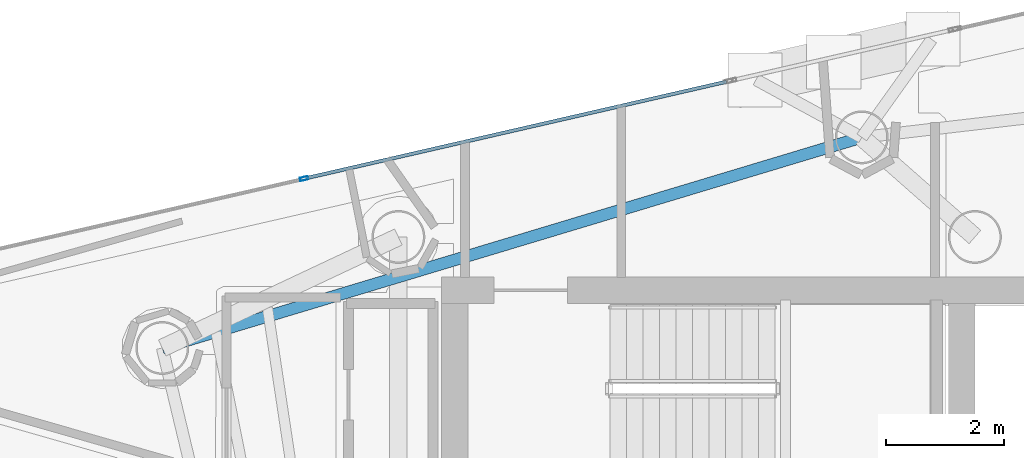
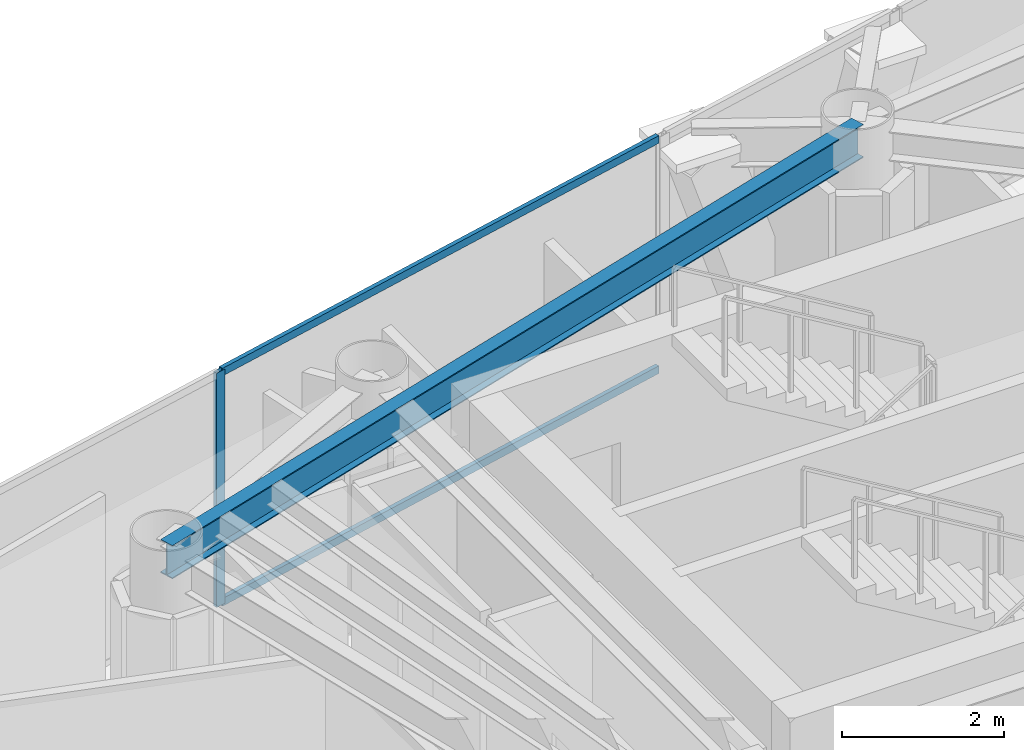
# One storey, part 11 of 24: 3 members, 1 beam, 1 element without a shape of its own.
"""IFC4 building model written with IfcOpenShell, lengths in metres."""

from ifc_helpers import new_model, si_unit, direction, frame, origin, origin_2d, place, context, subcontext, project, spatial, hollow_rectangle, i_section, extrude, material, layer, layer_set, material_profile, profile_set, type_object, element, aggregate, save


model = new_model("IFC4")

# Units and contexts
model_context = context("Model", 3, precision=1e-05, world=origin(), true_north=direction((0.0, 1.0)))
body_context = subcontext(model_context, "Body", "Model", "MODEL_VIEW")
ifc_project = project(units=[si_unit("LENGTHUNIT", "METRE"), si_unit("AREAUNIT", "SQUARE_METRE"), si_unit("VOLUMEUNIT", "CUBIC_METRE"), si_unit("PLANEANGLEUNIT", "RADIAN"), si_unit("MASSUNIT", "GRAM", prefix="KILO")], contexts=[model_context])

# Site, building, storey
site_placement = place(None, origin())
site = spatial("IfcSite", under=ifc_project, at=site_placement, CompositionType="ELEMENT")
building_placement = place(site_placement, origin())
building = spatial("IfcBuilding", under=site, at=building_placement, Name="Qianvela Tower", CompositionType="ELEMENT")
storey_placement = place(building_placement, frame((0.0, 0.0, 306.5)))
storey = spatial("IfcBuildingStorey", under=building, at=storey_placement, Name="L79", CompositionType="ELEMENT", Elevation=306.5)

# Beam
ifc_material_1 = material(Name="Steel Q355B", Category="steel")
ifc_material_profile_1 = material_profile(ifc_material_1, i_section(OverallWidth=0.199951171875, OverallDepth=0.5, WebThickness=0.010009765625, FlangeThickness=0.01611328125, at=origin_2d()), Name="HN500x200x10x16")
ifc_profile_set_1 = profile_set([ifc_material_profile_1], Name="Steel Q355B")
beam_type = type_object("IfcBeamType", Name="BM-HN500-GIRD", PredefinedType="BEAM", material=ifc_profile_set_1)
beam_placement = place(storey_placement, frame((36.47607421875, 35.242919921875, 3.26806640625), z_axis=(-0.957535726794, -0.288314640478, 0.0), x_axis=(0.288314640478, -0.957535726794, 0.0)))
element("IfcBeam", 1, at=beam_placement, inside=storey, type_object=beam_type, Name="L79 Perimeter Ring Spandrel Girder 2", PredefinedType="BEAM", context=body_context, shape_type="SweptSolid", body=[
    extrude(i_section(OverallWidth=0.199951171875, OverallDepth=0.5, WebThickness=0.010009765625, FlangeThickness=0.01611328125, at=origin_2d()), origin(), (0.0, 0.0, 1.0), 12.41650390625),
])

# Curtain wall, members
ifc_material_2 = material(Name="Anodised Architectural Aluminium and Low-E Glass", Category="aluminium")
ifc_layer = layer(ifc_material_2, 0.14990234375)
ifc_layer_set = layer_set([ifc_layer], Name="Anodised Architectural Aluminium and Low-E Glass")
curtain_wall_type = type_object("IfcCurtainWallType", Name="CW-COLIV-Z78", PredefinedType="USERDEFINED", material=ifc_layer_set)
curtain_wall_placement = place(storey_placement, origin())
curtain_wall = element("IfcCurtainWall", 2, at=curtain_wall_placement, inside=storey, type_object=curtain_wall_type, Name="L79 CW-COLIV-Z78 Curtain Wall 02C", ObjectType="CURTAIN_WALL_SYSTEM", PredefinedType="USERDEFINED")
ifc_material_3 = material(Name="Anodised Architectural Aluminium 6063-T6", Category="aluminium")
ifc_material_profile_2 = material_profile(ifc_material_3, hollow_rectangle(XDim=0.06005859375, YDim=0.139892578125, WallThickness=0.00439453125, at=origin_2d()), Name="ALU-MULL-60x140")
ifc_profile_set_2 = profile_set([ifc_material_profile_2], Name="Anodised Architectural Aluminium 6063-T6")
member_type_1 = type_object("IfcMemberType", Name="CW-COLIV-Z78-MULL", PredefinedType="MULLION", material=ifc_profile_set_2)
member_1_placement = place(storey_placement, frame((26.996826171875, 34.541259765625, 0.0), z_axis=(0.0, 0.0, 1.0), x_axis=(0.223710234751, -0.974655698628, 0.0)))
member_1 = element("IfcMember", 3, at=member_1_placement, type_object=member_type_1, Name="CW-6 mullion 2", PredefinedType="MULLION", context=body_context, shape_type="SweptSolid", body=[
    extrude(hollow_rectangle(XDim=0.06005859375, YDim=0.139892578125, WallThickness=0.00439453125, at=origin_2d()), origin(), (0.0, 0.0, 1.0), 3.52001953125),
])
ifc_material_4 = material(Name="Anodised Architectural Aluminium 6063-T6", Category="aluminium")
ifc_material_profile_3 = material_profile(ifc_material_4, hollow_rectangle(XDim=0.06005859375, YDim=0.114990234375, WallThickness=0.00390625, at=origin_2d()), Name="ALU-TRAN-60x115")
ifc_profile_set_3 = profile_set([ifc_material_profile_3], Name="Anodised Architectural Aluminium 6063-T6")
member_type_2 = type_object("IfcMemberType", Name="CW-COLIV-Z78-TRAN", PredefinedType="USERDEFINED", material=ifc_profile_set_3)
member_2_placement = place(storey_placement, frame((34.176513671875, 36.189208984375, 0.030029296875), z_axis=(-0.974653009658, -0.223721949672, 0.0), x_axis=(0.223721949672, -0.974653009658, 0.0)))
member_2 = element("IfcMember", 4, at=member_2_placement, type_object=member_type_2, Name="CW-6 transom 1.1", ObjectType="TRANSOM", PredefinedType="USERDEFINED", context=body_context, shape_type="SweptSolid", body=[
    extrude(hollow_rectangle(XDim=0.06005859375, YDim=0.114990234375, WallThickness=0.00390625, at=origin_2d()), origin(), (0.0, 0.0, 1.0), 7.336669921875),
])
member_3_placement = place(storey_placement, frame((34.176513671875, 36.189208984375, 3.489990234375), z_axis=(-0.974653009658, -0.223721949672, 0.0), x_axis=(0.223721949672, -0.974653009658, 0.0)))
member_3 = element("IfcMember", 5, at=member_3_placement, type_object=member_type_2, Name="CW-6 transom 1.2", ObjectType="TRANSOM", PredefinedType="USERDEFINED", context=body_context, shape_type="SweptSolid", body=[
    extrude(hollow_rectangle(XDim=0.06005859375, YDim=0.114990234375, WallThickness=0.00390625, at=origin_2d()), origin(), (0.0, 0.0, 1.0), 7.336669921875),
])
aggregate(curtain_wall, [member_1, member_2, member_3])

save(model, "model.ifc")
